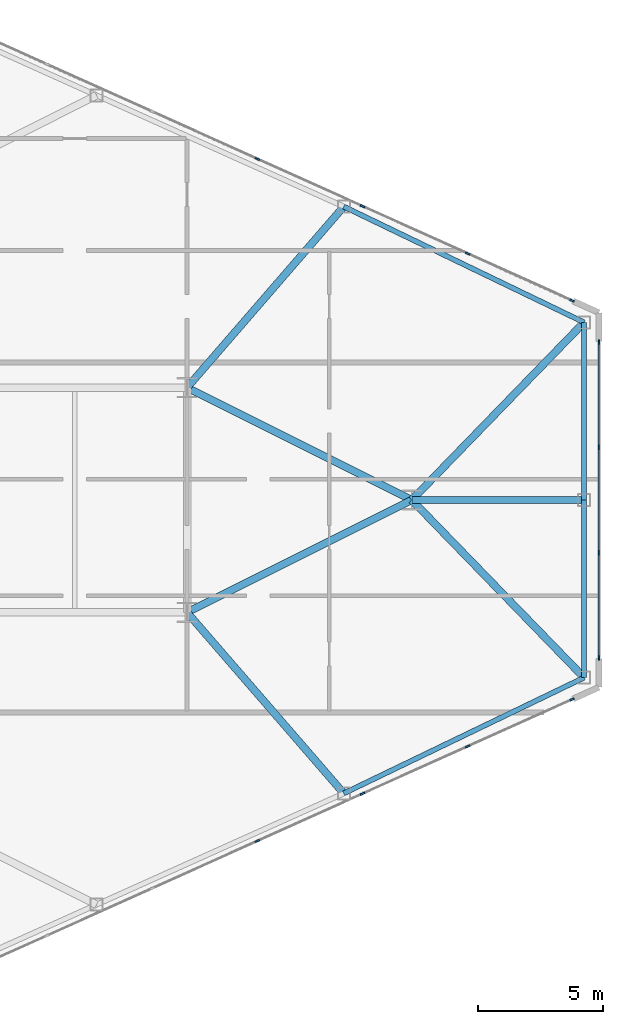
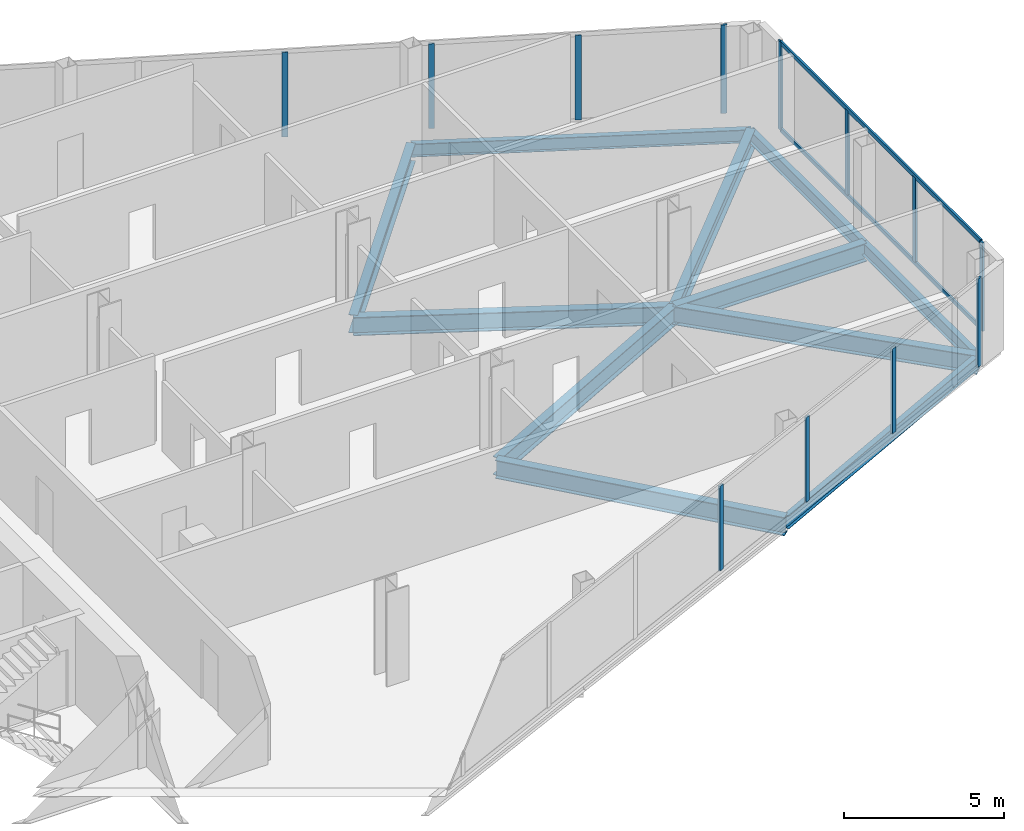
# One storey, part 16 of 27: 14 members, 11 beams, 3 elements without a shape of their own.
"""IFC4 building model written with IfcOpenShell, lengths in metres."""

import ifcopenshell
import ifcopenshell.guid

model = None  # the IFC model being written
_history = None  # IfcOwnerHistory: only IFC2X3 demands one
_inside = {}  # id of a spatial element -> (the spatial element, [elements in it])
_under = {}  # id of a project, library or spatial element -> (it, [spatial elements below it])
_declared = {}  # id of a project -> (the project, [libraries it declares])
_typed = {}  # id of a type object -> (the type object, [elements of that type])
_made_of = {}  # id of a material, layer set ... -> (it, [elements and type objects made of it])


def new_model(schema):
    """Start an empty IFC model of exactly this schema.

    Asked for "IFC4X3", IfcOpenShell would pick the latest addendum, in which some entities
    have other attributes; the version numbers below select the first issue.
    IFC2X3 requires an IfcOwnerHistory on every rooted entity: one is made here for all.
    """
    global model, _history
    if schema == "IFC4X3":
        model = ifcopenshell.file(schema_version=(4, 3, 0, 0))
    else:
        model = ifcopenshell.file(schema=schema)
    _inside.clear()
    _under.clear()
    _declared.clear()
    _typed.clear()
    _made_of.clear()
    _history = None
    if model.schema == "IFC2X3":
        org = make("IfcOrganization", Name="unknown")
        user = make(
            "IfcPersonAndOrganization",
            ThePerson=make("IfcPerson", FamilyName="unknown"),
            TheOrganization=org,
        )
        app = make(
            "IfcApplication",
            ApplicationDeveloper=org,
            Version="unknown",
            ApplicationFullName="unknown",
            ApplicationIdentifier="unknown",
        )
        _history = make(
            "IfcOwnerHistory",
            OwningUser=user,
            OwningApplication=app,
            ChangeAction="ADDED",
            CreationDate=0,
        )
    return model


def make(cls, **values):
    """One entity of the class cls with the attributes given. An attribute that is None is left unset."""
    return model.create_entity(
        cls, **{name: value for name, value in values.items() if value is not None}
    )


def rooted(cls, **values):
    """An entity with a GlobalId (a new one), such as an element, a storey or a relation."""
    return make(cls, GlobalId=ifcopenshell.guid.new(), OwnerHistory=_history, **values)


def si_unit(unit_type, name, prefix=None):
    """IfcSIUnit, for example si_unit("LENGTHUNIT", "METRE", prefix="MILLI")."""
    return make("IfcSIUnit", UnitType=unit_type, Prefix=prefix, Name=name)


def assignment(units):
    """IfcUnitAssignment: the units of a project."""
    return None if units is None else make("IfcUnitAssignment", Units=units)


def point(xyz):
    """IfcCartesianPoint."""
    return None if xyz is None else make("IfcCartesianPoint", Coordinates=xyz)


def direction(xyz):
    """IfcDirection."""
    return None if xyz is None else make("IfcDirection", DirectionRatios=xyz)


def frame(location, z_axis=None, x_axis=None):
    """IfcAxis2Placement3D, a coordinate frame: its origin and axes. An axis left out is left unset."""
    return make(
        "IfcAxis2Placement3D",
        Location=point(location),
        Axis=direction(z_axis),
        RefDirection=direction(x_axis),
    )


def frame_2d(location, x_axis=None):
    """IfcAxis2Placement2D, a coordinate frame in the plane: its origin and x axis."""
    return make(
        "IfcAxis2Placement2D", Location=point(location), RefDirection=direction(x_axis)
    )


def origin():
    """The frame at (0, 0, 0) with its axes left unset."""
    return frame((0.0, 0.0, 0.0))


def origin_2d():
    """The frame at (0, 0) in the plane with its x axis left unset."""
    return frame_2d((0.0, 0.0))


def place(relative_to, where):
    """IfcLocalPlacement: puts the frame where relative to a parent placement (None: the world)."""
    return make(
        "IfcLocalPlacement", PlacementRelTo=relative_to, RelativePlacement=where
    )


def context(
    kind, dimensions, precision=None, world=None, true_north=None, identifier=None
):
    """IfcGeometricRepresentationContext, for example the 3D "Model" context."""
    return make(
        "IfcGeometricRepresentationContext",
        ContextIdentifier=identifier,
        ContextType=kind,
        CoordinateSpaceDimension=dimensions,
        Precision=precision,
        WorldCoordinateSystem=world,
        TrueNorth=true_north,
    )


def subcontext(parent, identifier, kind, view, scale=None):
    """IfcGeometricRepresentationSubContext, for example "Body" below "Model"."""
    return make(
        "IfcGeometricRepresentationSubContext",
        ContextIdentifier=identifier,
        ContextType=kind,
        ParentContext=parent,
        TargetScale=scale,
        TargetView=view,
    )


def project(units=None, contexts=None):
    """IfcProject with its units and contexts."""
    return rooted(
        "IfcProject",
        Name="project",
        RepresentationContexts=contexts,
        UnitsInContext=assignment(units),
    )


def spatial(cls, under=None, at=None, **own):
    """A site, building, storey or space (cls), placed at a placement, below another one or the project."""
    s = rooted(cls, ObjectPlacement=at, **own)
    if under is not None:
        _under.setdefault(under.id(), (under, []))[1].append(s)
    return s


def profile(cls, at=None, kind="AREA", **sizes):
    """A parametric profile (cls). Its sizes go by their IFC names, for example OverallWidth=200.0."""
    return make(cls, ProfileType=kind, Position=at, **sizes)


def rectangle(**sizes):
    """IfcRectangleProfileDef."""
    return profile("IfcRectangleProfileDef", **sizes)


def i_section(**sizes):
    """IfcIShapeProfileDef."""
    return profile("IfcIShapeProfileDef", **sizes)


def extrude(swept, where, along, depth):
    """IfcExtrudedAreaSolid: the profile swept, set in the frame where, extruded along a direction by depth."""
    return make(
        "IfcExtrudedAreaSolid",
        SweptArea=swept,
        Position=where,
        ExtrudedDirection=direction(along),
        Depth=depth,
    )


def shape(context_of_items, identifier, shape_type, items):
    """IfcShapeRepresentation: the items that make up one representation, for example the "Body"."""
    return make(
        "IfcShapeRepresentation",
        ContextOfItems=context_of_items,
        RepresentationIdentifier=identifier,
        RepresentationType=shape_type,
        Items=items,
    )


def source(mapping_origin, context_of_items, identifier, shape_type, items):
    """IfcRepresentationMap: a shape defined once, which mapped items show again and again."""
    return make(
        "IfcRepresentationMap",
        MappingOrigin=mapping_origin,
        MappedRepresentation=shape(context_of_items, identifier, shape_type, items),
    )


def transform(
    local_origin,
    x_axis=None,
    y_axis=None,
    z_axis=None,
    scale=None,
    scale2=None,
    scale3=None,
    uniform=True,
):
    """IfcCartesianTransformationOperator3D, or its non-uniform kind. x_axis, y_axis, z_axis: its Axis1, 2, 3."""
    if uniform:
        return make(
            "IfcCartesianTransformationOperator3D",
            Axis1=direction(x_axis),
            Axis2=direction(y_axis),
            LocalOrigin=point(local_origin),
            Scale=scale,
            Axis3=direction(z_axis),
        )
    return make(
        "IfcCartesianTransformationOperator3DnonUniform",
        Axis1=direction(x_axis),
        Axis2=direction(y_axis),
        LocalOrigin=point(local_origin),
        Scale=scale,
        Axis3=direction(z_axis),
        Scale2=scale2,
        Scale3=scale3,
    )


def mapped(mapping_source, mapping_target):
    """IfcMappedItem: shows the shape of a source again, moved by a transform."""
    return make(
        "IfcMappedItem", MappingSource=mapping_source, MappingTarget=mapping_target
    )


def material(Name=None, Category=None):
    """IfcMaterial."""
    return make("IfcMaterial", Name=Name, Category=Category)


def layer(
    of_material, thickness, ventilated=None, Name=None, Category=None, Priority=None
):
    """IfcMaterialLayer: one layer of a wall or slab, of a material (None: an air gap)."""
    return make(
        "IfcMaterialLayer",
        Material=of_material,
        LayerThickness=thickness,
        IsVentilated=ventilated,
        Name=Name,
        Category=Category,
        Priority=Priority,
    )


def layer_set(layers, Name=None):
    """IfcMaterialLayerSet."""
    return make("IfcMaterialLayerSet", MaterialLayers=layers, LayerSetName=Name)


def material_profile(
    of_material, cross_section, Name=None, Category=None, Priority=None
):
    """IfcMaterialProfile: a cross section and its material."""
    return make(
        "IfcMaterialProfile",
        Name=Name,
        Material=of_material,
        Profile=cross_section,
        Priority=Priority,
        Category=Category,
    )


def profile_set(profiles, Name=None, composite=None):
    """IfcMaterialProfileSet."""
    return make(
        "IfcMaterialProfileSet",
        Name=Name,
        MaterialProfiles=profiles,
        CompositeProfile=composite,
    )


def made_of(thing, what):
    """Note that an element or type object is made of a material, layer set ...; save() writes the relation."""
    if what is not None:
        _made_of.setdefault(what.id(), (what, []))[1].append(thing)
    return thing


def type_object(cls, material=None, **own):
    """A type object (cls), such as IfcWallType, which elements share."""
    return made_of(rooted(cls, **own), material)


def type_shapes(of_type, sources):
    """Give a type object the sources (RepresentationMaps) that its elements show as mapped items."""
    of_type.RepresentationMaps = sources


def element(
    cls,
    number,
    at=None,
    inside=None,
    cuts=None,
    type_object=None,
    material=None,
    context=None,
    identifier="Body",
    shape_type=None,
    held_by="IfcProductDefinitionShape",
    body=None,
    shapes=None,
    **own,
):
    """One element of the class cls, such as IfcWall. Its Tag is "e" and its number.

    at: its placement. inside: the storey or other place that contains it. cuts: it is an
    opening in that element (IfcRelVoidsElement). A single representation is given by context,
    identifier, shape_type and body (its items); several are given by shapes. held_by: the class
    of the entity that holds the representations. save() writes the other relations.
    """
    e = rooted(cls, Tag="e%d" % number, ObjectPlacement=at, **own)
    if body is not None:
        shapes = [shape(context, identifier, shape_type, body)]
    if shapes is not None:
        e.Representation = make(held_by, Representations=shapes)
    if inside is not None:
        _inside.setdefault(inside.id(), (inside, []))[1].append(e)
    if cuts is not None:
        rooted(
            "IfcRelVoidsElement", RelatingBuildingElement=cuts, RelatedOpeningElement=e
        )
    if type_object is not None:
        _typed.setdefault(type_object.id(), (type_object, []))[1].append(e)
    return made_of(e, material)


def aggregate(whole, parts):
    """IfcRelAggregates: a whole, such as a stair, and the parts it consists of."""
    return rooted("IfcRelAggregates", RelatingObject=whole, RelatedObjects=parts)


def save(model, path):
    """Write the relations noted so far, then the file.

    IfcRelAggregates (storeys below a building ...), IfcRelContainedInSpatialStructure (elements
    in a storey), IfcRelDefinesByType, IfcRelAssociatesMaterial and IfcRelDeclares: one each for
    every whole, place, type object, material and project.
    """
    for whole, parts in _under.values():
        aggregate(whole, parts)
    for where, things in _inside.values():
        rooted(
            "IfcRelContainedInSpatialStructure",
            RelatedElements=things,
            RelatingStructure=where,
        )
    for kind, things in _typed.values():
        rooted("IfcRelDefinesByType", RelatedObjects=things, RelatingType=kind)
    for what, things in _made_of.values():
        rooted("IfcRelAssociatesMaterial", RelatedObjects=things, RelatingMaterial=what)
    for by, libraries in _declared.values():
        rooted("IfcRelDeclares", RelatingContext=by, RelatedDefinitions=libraries)
    model.write(path)


model = new_model("IFC4")

# Units and contexts
model_context = context("Model", 3, precision=1e-05, world=origin(), true_north=direction((0.0, 1.0)))
body_context = subcontext(model_context, "Body", "Model", "MODEL_VIEW")
ifc_project = project(units=[si_unit("LENGTHUNIT", "METRE"), si_unit("AREAUNIT", "SQUARE_METRE"), si_unit("VOLUMEUNIT", "CUBIC_METRE"), si_unit("PLANEANGLEUNIT", "RADIAN"), si_unit("MASSUNIT", "GRAM", prefix="KILO")], contexts=[model_context])

# Site, building, storey
site_placement = place(None, origin())
site = spatial("IfcSite", under=ifc_project, at=site_placement, CompositionType="ELEMENT")
building_placement = place(site_placement, origin())
building = spatial("IfcBuilding", under=site, at=building_placement, Name="Seokmaru Belvedere", CompositionType="ELEMENT")
storey_placement = place(building_placement, frame((0.0, 0.0, 72.89990234375)))
storey = spatial("IfcBuildingStorey", under=building, at=storey_placement, Name="L19", CompositionType="ELEMENT", Elevation=72.89990234375)

# Beams
ifc_material_1 = material(Name="Steel SM355 (355 MPa)", Category="steel")
ifc_material_profile_1 = material_profile(ifc_material_1, i_section(OverallWidth=0.300048828125, OverallDepth=0.699951171875, WebThickness=0.012939453125, FlangeThickness=0.02392578125, at=origin_2d()), Name="H-700x300x13x24")
ifc_profile_set_1 = profile_set([ifc_material_profile_1], Name="Steel SM355 (355 MPa)")
beam_type_1 = type_object("IfcBeamType", Name="Primary Floor Girder H-700", PredefinedType="BEAM", material=ifc_profile_set_1)
shared_shape_1 = source(origin(), body_context, "Body", "SweptSolid", [
    extrude(i_section(OverallWidth=0.300048828125, OverallDepth=0.699951171875, WebThickness=0.012939453125, FlangeThickness=0.02392578125, at=origin_2d()), origin(), (0.0, 0.0, 1.0), 10.062255859375),
])
for number, where, z_axis, x_axis, name in (
    (1, (54.5, -4.5, -0.56982421875), (0.894427191, 0.4472135955, 0.0), (-0.4472135955, 0.894427191, 0.0), "L19 E Apex Converging Girder 1"),
    (2, (54.5, 4.5, -0.56982421875), (0.894427191, -0.4472135955, 0.0), (0.4472135955, 0.894427191, 0.0), "L19 E Apex Converging Girder 2"),
):
    element("IfcBeam", number, at=place(storey_placement, frame(where, z_axis=z_axis, x_axis=x_axis)), inside=storey, type_object=beam_type_1, Name=name, PredefinedType="BEAM", context=body_context, shape_type="MappedRepresentation", body=[
        mapped(shared_shape_1, transform((0.0, 0.0, 0.0), scale=1.0)),
    ])
ifc_material_profile_2 = material_profile(ifc_material_1, i_section(OverallWidth=0.199951171875, OverallDepth=0.5, WebThickness=0.010009765625, FlangeThickness=0.01611328125, at=origin_2d()), Name="H-500x200x10x16")
ifc_profile_set_2 = profile_set([ifc_material_profile_2], Name="Steel SM355 (355 MPa)")
beam_type_2 = type_object("IfcBeamType", Name="Perimeter Spandrel Beam H-500", PredefinedType="SPANDREL", material=ifc_profile_set_2)
shared_shape_2 = source(origin(), body_context, "Body", "SweptSolid", [
    extrude(i_section(OverallWidth=0.199951171875, OverallDepth=0.5, WebThickness=0.010009765625, FlangeThickness=0.01611328125, at=origin_2d()), origin(), (0.0, 0.0, 1.0), 10.681396484375),
])
for number, where, z_axis, x_axis, name in (
    (3, (60.777587890625, -11.749267578125, -0.469970703125), (0.900846426616, 0.434137899352, 0.0), (-0.434137899352, 0.900846426616, 0.0), "L19 E Faceted Flank Spandrel S-4"),
    (4, (60.777587890625, 11.749267578125, -0.469970703125), (0.900846426616, -0.434137899352, 0.0), (0.434137899352, 0.900846426616, 0.0), "L19 E Faceted Flank Spandrel N-4"),
):
    element("IfcBeam", number, at=place(storey_placement, frame(where, z_axis=z_axis, x_axis=x_axis)), inside=storey, type_object=beam_type_2, Name=name, PredefinedType="SPANDREL", context=body_context, shape_type="MappedRepresentation", body=[
        mapped(shared_shape_2, transform((0.0, 0.0, 0.0), scale=1.0)),
    ])
shared_shape_3 = source(origin(), body_context, "Body", "SweptSolid", [
    extrude(i_section(OverallWidth=0.199951171875, OverallDepth=0.5, WebThickness=0.010009765625, FlangeThickness=0.01611328125, at=origin_2d()), origin(), (0.0, 0.0, 1.0), 7.112060546875),
])
type_shapes(beam_type_2, [shared_shape_2, shared_shape_3])
for number, where, z_axis, x_axis, name in (
    (5, (70.39990234375, -7.112060546875, -0.469970703125), (0.0, 1.0, 0.0), (-1.0, 0.0, 0.0), "L19 E Faceted Apex Spandrel S"),
    (6, (70.39990234375, 0.0, -0.469970703125), (0.0, 1.0, 0.0), (-1.0, 0.0, 0.0), "L19 E Faceted Apex Spandrel N"),
):
    element("IfcBeam", number, at=place(storey_placement, frame(where, z_axis=z_axis, x_axis=x_axis)), inside=storey, type_object=beam_type_2, Name=name, PredefinedType="SPANDREL", context=body_context, shape_type="MappedRepresentation", body=[
        mapped(shared_shape_3, transform((0.0, 0.0, 0.0), scale=1.0)),
    ])
shared_shape_4 = source(origin(), body_context, "Body", "SweptSolid", [
    extrude(i_section(OverallWidth=0.300048828125, OverallDepth=0.699951171875, WebThickness=0.012939453125, FlangeThickness=0.02392578125, at=origin_2d()), origin(), (0.0, 0.0, 1.0), 9.589599609375),
])
for number, where, z_axis, x_axis, name in (
    (7, (60.777587890625, -11.749267578125, -0.56982421875), (-0.654626140929, 0.755952786629, 0.0), (-0.755952786629, -0.654626140929, 0.0), "L19 E Flank Radial Floor Girder S-3"),
    (8, (60.777587890625, 11.749267578125, -0.56982421875), (-0.654626140929, -0.755952786629, 0.0), (0.755952786629, -0.654626140929, 0.0), "L19 E Flank Radial Floor Girder N-3"),
):
    element("IfcBeam", number, at=place(storey_placement, frame(where, z_axis=z_axis, x_axis=x_axis)), inside=storey, type_object=beam_type_1, Name=name, PredefinedType="BEAM", context=body_context, shape_type="MappedRepresentation", body=[
        mapped(shared_shape_4, transform((0.0, 0.0, 0.0), scale=1.0)),
    ])
shared_shape_5 = source(origin(), body_context, "Body", "SweptSolid", [
    extrude(i_section(OverallWidth=0.300048828125, OverallDepth=0.699951171875, WebThickness=0.012939453125, FlangeThickness=0.02392578125, at=origin_2d()), origin(), (0.0, 0.0, 1.0), 9.9091796875),
])
for number, where, z_axis, x_axis, name in (
    (9, (70.39990234375, -7.112060546875, -0.56982421875), (-0.6963205089, 0.717730972499, 0.0), (-0.717730972499, -0.6963205089, 0.0), "L19 E Apex Radial Floor Girder 1"),
    (10, (70.39990234375, 7.112060546875, -0.56982421875), (-0.6963205089, -0.717730972499, 0.0), (0.717730972499, -0.6963205089, 0.0), "L19 E Apex Radial Floor Girder 2"),
):
    element("IfcBeam", number, at=place(storey_placement, frame(where, z_axis=z_axis, x_axis=x_axis)), inside=storey, type_object=beam_type_1, Name=name, PredefinedType="BEAM", context=body_context, shape_type="MappedRepresentation", body=[
        mapped(shared_shape_5, transform((0.0, 0.0, 0.0), scale=1.0)),
    ])
shared_shape_6 = source(origin(), body_context, "Body", "SweptSolid", [
    extrude(i_section(OverallWidth=0.300048828125, OverallDepth=0.699951171875, WebThickness=0.012939453125, FlangeThickness=0.02392578125, at=origin_2d()), origin(), (0.0, 0.0, 1.0), 6.89990234375),
])
type_shapes(beam_type_1, [shared_shape_1, shared_shape_4, shared_shape_5, shared_shape_6])
beam_placement = place(storey_placement, frame((70.39990234375, 0.0, -0.56982421875), z_axis=(-1.0, 0.0, 0.0), x_axis=(0.0, -1.0, 0.0)))
element("IfcBeam", 11, at=beam_placement, inside=storey, type_object=beam_type_1, Name="L19 E Apex Center Radial Girder", PredefinedType="BEAM", context=body_context, shape_type="MappedRepresentation", body=[
    mapped(shared_shape_6, transform((0.0, 0.0, 0.0), scale=1.0)),
])

# Curtain wall, members
ifc_material_2 = material(Name="Bronze Triple Insulating Glass", Category="glass")
ifc_layer = layer(ifc_material_2, 0.195068359375)
ifc_layer_set = layer_set([ifc_layer], Name="Bronze Triple Insulating Glass")
curtain_wall_type = type_object("IfcCurtainWallType", Name="Lower-Mid Tapered Curtain Wall System CW-3", PredefinedType="NOTDEFINED", material=ifc_layer_set)
curtain_wall_1_placement = place(storey_placement, origin())
curtain_wall_1 = element("IfcCurtainWall", 12, at=curtain_wall_1_placement, inside=storey, type_object=curtain_wall_type, Name="L19 Curtain Wall EF1", PredefinedType="NOTDEFINED")
ifc_material_3 = material(Name="Anodised Bronze Aluminium", Category="aluminium")
ifc_material_profile_3 = material_profile(ifc_material_3, rectangle(XDim=0.070068359375, YDim=0.195068359375, at=origin_2d()), Name="CW-M-70x195")
ifc_profile_set_3 = profile_set([ifc_material_profile_3], Name="Anodised Bronze Aluminium")
member_type_1 = type_object("IfcMemberType", Name="Bronze Unitised Mullion 70x195", PredefinedType="MULLION", material=ifc_profile_set_3)
shared_shape_7 = source(origin(), body_context, "Body", "SweptSolid", [
    extrude(rectangle(XDim=0.070068359375, YDim=0.195068359375, at=origin_2d()), origin(), (0.0, 0.0, 1.0), 3.239990234375),
])
member_1_placement = place(storey_placement, frame((57.317138671875, -13.6572265625, 0.070068359375), z_axis=(0.0, 0.0, 1.0), x_axis=(-0.41036554765, 0.91192111353, 0.0)))
member_1 = element("IfcMember", 13, at=member_1_placement, type_object=member_type_1, Name="CW:L19:EF1 Mullion 7", PredefinedType="MULLION", context=body_context, shape_type="MappedRepresentation", body=[
    mapped(shared_shape_7, transform((0.0, 0.0, 0.0), scale=1.0)),
])
member_2_placement = place(storey_placement, frame((61.528564453125, -11.76220703125, 0.070068359375), z_axis=(0.0, 0.0, 1.0), x_axis=(-0.41036554765, 0.91192111353, 0.0)))
member_2 = element("IfcMember", 14, at=member_2_placement, type_object=member_type_1, Name="CW:L19:EF1 Mullion 8", PredefinedType="MULLION", context=body_context, shape_type="MappedRepresentation", body=[
    mapped(shared_shape_7, transform((0.0, 0.0, 0.0), scale=1.0)),
])
member_3_placement = place(storey_placement, frame((65.739990234375, -9.866943359375, 0.070068359375), z_axis=(0.0, 0.0, 1.0), x_axis=(-0.41036554765, 0.91192111353, 0.0)))
member_3 = element("IfcMember", 15, at=member_3_placement, type_object=member_type_1, Name="CW:L19:EF1 Mullion 9", PredefinedType="MULLION", context=body_context, shape_type="MappedRepresentation", body=[
    mapped(shared_shape_7, transform((0.0, 0.0, 0.0), scale=1.0)),
])

curtain_wall_2_placement = place(storey_placement, origin())
curtain_wall_2 = element("IfcCurtainWall", 16, at=curtain_wall_2_placement, inside=storey, type_object=curtain_wall_type, Name="L19 Curtain Wall EF2", PredefinedType="NOTDEFINED")
member_4_placement = place(storey_placement, frame((71.0, -2.11669921875, 0.070068359375), z_axis=(0.0, 0.0, 1.0), x_axis=(-1.0, 0.0, 0.0)))
member_4 = element("IfcMember", 17, at=member_4_placement, type_object=member_type_1, Name="CW:L19:EF2 Mullion 2", PredefinedType="MULLION", context=body_context, shape_type="MappedRepresentation", body=[
    mapped(shared_shape_7, transform((0.0, 0.0, 0.0), scale=1.0)),
])
member_5_placement = place(storey_placement, frame((71.0, 2.11669921875, 0.070068359375), z_axis=(0.0, 0.0, 1.0), x_axis=(-1.0, 0.0, 0.0)))
member_5 = element("IfcMember", 18, at=member_5_placement, type_object=member_type_1, Name="CW:L19:EF2 Mullion 3", PredefinedType="MULLION", context=body_context, shape_type="MappedRepresentation", body=[
    mapped(shared_shape_7, transform((0.0, 0.0, 0.0), scale=1.0)),
])

curtain_wall_3_placement = place(storey_placement, origin())
curtain_wall_3 = element("IfcCurtainWall", 19, at=curtain_wall_3_placement, inside=storey, type_object=curtain_wall_type, Name="L19 Curtain Wall EF3", PredefinedType="NOTDEFINED")
member_6_placement = place(storey_placement, frame((65.739990234375, 9.866943359375, 0.070068359375), z_axis=(0.0, 0.0, 1.0), x_axis=(-0.41036554765, -0.91192111353, 0.0)))
member_6 = element("IfcMember", 20, at=member_6_placement, type_object=member_type_1, Name="CW:L19:EF3 Mullion 2", PredefinedType="MULLION", context=body_context, shape_type="MappedRepresentation", body=[
    mapped(shared_shape_7, transform((0.0, 0.0, 0.0), scale=1.0)),
])
member_7_placement = place(storey_placement, frame((61.528564453125, 11.76220703125, 0.070068359375), z_axis=(0.0, 0.0, 1.0), x_axis=(-0.41036554765, -0.91192111353, 0.0)))
member_7 = element("IfcMember", 21, at=member_7_placement, type_object=member_type_1, Name="CW:L19:EF3 Mullion 3", PredefinedType="MULLION", context=body_context, shape_type="MappedRepresentation", body=[
    mapped(shared_shape_7, transform((0.0, 0.0, 0.0), scale=1.0)),
])
member_8_placement = place(storey_placement, frame((57.317138671875, 13.6572265625, 0.070068359375), z_axis=(0.0, 0.0, 1.0), x_axis=(-0.41036554765, -0.91192111353, 0.0)))
member_8 = element("IfcMember", 22, at=member_8_placement, type_object=member_type_1, Name="CW:L19:EF3 Mullion 4", PredefinedType="MULLION", context=body_context, shape_type="MappedRepresentation", body=[
    mapped(shared_shape_7, transform((0.0, 0.0, 0.0), scale=1.0)),
])

# Member
ifc_material_profile_4 = material_profile(ifc_material_3, rectangle(XDim=0.070068359375, YDim=0.1650390625, at=origin_2d()), Name="CW-T-70x165")
ifc_profile_set_4 = profile_set([ifc_material_profile_4], Name="Anodised Bronze Aluminium")
member_type_2 = type_object("IfcMemberType", Name="Bronze Unitised Transom 70x165", PredefinedType="USERDEFINED", material=ifc_profile_set_4)
shared_shape_8 = source(origin(), body_context, "Body", "SweptSolid", [
    extrude(rectangle(XDim=0.070068359375, YDim=0.1650390625, at=origin_2d()), origin(), (0.0, 0.0, 1.0), 12.56005859375),
])
type_shapes(member_type_2, [shared_shape_8])
member_9_placement = place(storey_placement, frame((71.0, -6.280029296875, 0.03515625), z_axis=(0.0, 1.0, 0.0), x_axis=(-1.0, 0.0, 0.0)))
member_9 = element("IfcMember", 23, at=member_9_placement, type_object=member_type_2, Name="CW:L19:EF2 Continuous Transom 1", ObjectType="TRANSOM", PredefinedType="USERDEFINED", context=body_context, shape_type="MappedRepresentation", body=[
    mapped(shared_shape_8, transform((0.0, 0.0, 0.0), scale=1.0)),
])

member_10_placement = place(storey_placement, frame((71.0, -6.280029296875, 3.34521484375), z_axis=(0.0, 1.0, 0.0), x_axis=(-1.0, 0.0, 0.0)))
member_10 = element("IfcMember", 24, at=member_10_placement, type_object=member_type_2, Name="CW:L19:EF2 Continuous Transom 2", ObjectType="TRANSOM", PredefinedType="USERDEFINED", context=body_context, shape_type="MappedRepresentation", body=[
    mapped(shared_shape_8, transform((0.0, 0.0, 0.0), scale=1.0)),
])

shared_shape_9 = source(origin(), body_context, "Body", "SweptSolid", [
    extrude(rectangle(XDim=0.070068359375, YDim=0.195068359375, at=origin_2d()), origin(), (0.0, 0.0, 1.0), 3.380126953125),
])
type_shapes(member_type_1, [shared_shape_7, shared_shape_9])
member_11_placement = place(storey_placement, frame((69.91943359375, -7.986328125, 0.0), z_axis=(0.0, 0.0, 1.0), x_axis=(-0.41036554765, 0.91192111353, 0.0)))
member_11 = element("IfcMember", 25, at=member_11_placement, type_object=member_type_1, Name="CW:L19:EF1 Mullion 10", PredefinedType="MULLION", context=body_context, shape_type="MappedRepresentation", body=[
    mapped(shared_shape_9, transform((0.0, 0.0, 0.0), scale=1.0)),
])

aggregate(curtain_wall_1, [member_1, member_2, member_3, member_11])

member_12_placement = place(storey_placement, frame((71.0, -6.31494140625, 0.0), z_axis=(0.0, 0.0, 1.0), x_axis=(-1.0, 0.0, 0.0)))
member_12 = element("IfcMember", 26, at=member_12_placement, type_object=member_type_1, Name="CW:L19:EF2 Mullion 1", PredefinedType="MULLION", context=body_context, shape_type="MappedRepresentation", body=[
    mapped(shared_shape_9, transform((0.0, 0.0, 0.0), scale=1.0)),
])

member_13_placement = place(storey_placement, frame((71.0, 6.31494140625, 0.0), z_axis=(0.0, 0.0, 1.0), x_axis=(-1.0, 0.0, 0.0)))
member_13 = element("IfcMember", 27, at=member_13_placement, type_object=member_type_1, Name="CW:L19:EF2 Mullion 4", PredefinedType="MULLION", context=body_context, shape_type="MappedRepresentation", body=[
    mapped(shared_shape_9, transform((0.0, 0.0, 0.0), scale=1.0)),
])

aggregate(curtain_wall_2, [member_12, member_4, member_5, member_13, member_9, member_10])

member_14_placement = place(storey_placement, frame((69.91943359375, 7.986328125, 0.0), z_axis=(0.0, 0.0, 1.0), x_axis=(-0.41036554765, -0.91192111353, 0.0)))
member_14 = element("IfcMember", 28, at=member_14_placement, type_object=member_type_1, Name="CW:L19:EF3 Mullion 1", PredefinedType="MULLION", context=body_context, shape_type="MappedRepresentation", body=[
    mapped(shared_shape_9, transform((0.0, 0.0, 0.0), scale=1.0)),
])

aggregate(curtain_wall_3, [member_14, member_6, member_7, member_8])

save(model, "model.ifc")
